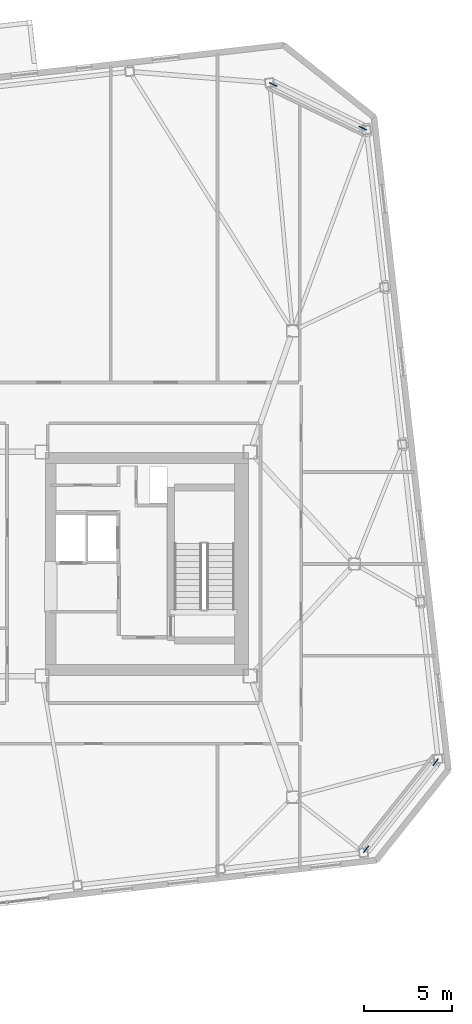
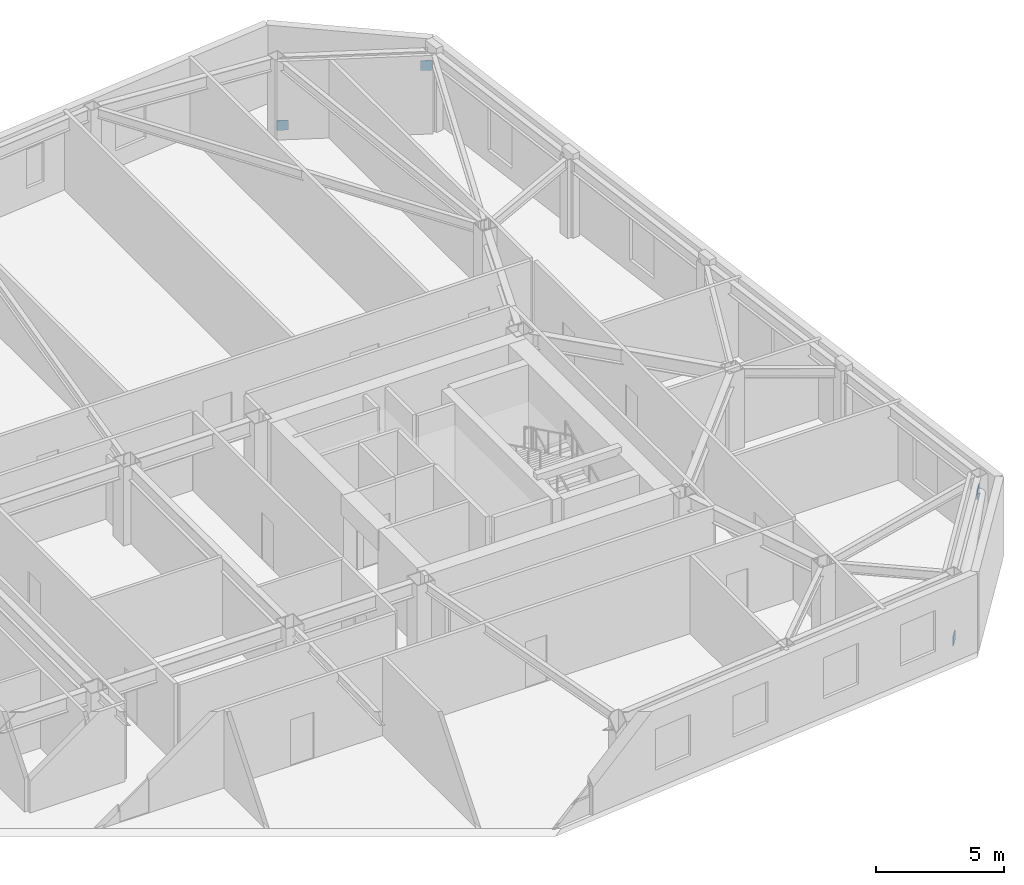
# One storey, part 18 of 20: 4 discrete accessories.
"""IFC4 building model written with IfcOpenShell, lengths in metres."""

from ifc_helpers import new_model, si_unit, direction, frame, origin, origin_2d, place, context, subcontext, project, spatial, rectangle, extrude, material, type_object, element, save


model = new_model("IFC4")

# Units and contexts
model_context = context("Model", 3, precision=1e-05, world=origin(), true_north=direction((0.0, 1.0)))
body_context = subcontext(model_context, "Body", "Model", "MODEL_VIEW")
ifc_project = project(units=[si_unit("LENGTHUNIT", "METRE"), si_unit("AREAUNIT", "SQUARE_METRE"), si_unit("VOLUMEUNIT", "CUBIC_METRE"), si_unit("PLANEANGLEUNIT", "RADIAN"), si_unit("MASSUNIT", "GRAM", prefix="KILO")], contexts=[model_context])

# Site, building, storey
site_placement = place(None, origin())
site = spatial("IfcSite", under=ifc_project, at=site_placement, CompositionType="ELEMENT")
building_placement = place(site_placement, origin())
building = spatial("IfcBuilding", under=site, at=building_placement, Name="Tavrogorsk Clinical Tower", CompositionType="ELEMENT")
storey_placement = place(building_placement, frame((0.0, 0.0, 251.0)))
storey = spatial("IfcBuildingStorey", under=building, at=storey_placement, Name="L58", CompositionType="ELEMENT", Elevation=251.0)

# Discrete accessories
ifc_material = material(Name="Structural steel S440", Category="steel")
discrete_accessory_type = type_object("IfcDiscreteAccessoryType", Name="GussetPlateBracket_25", PredefinedType="BRACKET", material=ifc_material)
for number, where, z_axis, x_axis, name in (
    (1, (28.6572265625, -16.15869140625, 0.168212890625), (0.0, 0.0, 1.0), (0.622514636638, 0.782608156852, 0.0), "L58 Brace Gusset Plate EXOCRN-L58-1-A"),
    (2, (32.5859375, -11.2197265625, 2.761962890625), (0.0, 0.0, 1.0), (0.622514636638, 0.782608156852, 0.0), "L58 Brace Gusset Plate EXOCRN-L58-1-B"),
    (3, (23.399169921875, 27.150634765625, 0.17724609375), (0.0, 0.0, 1.0), (0.898794046299, -0.438371146789, 0.0), "L58 Brace Gusset Plate EXOCRN-L58-2-A"),
    (4, (28.46630859375, 24.679443359375, 2.7529296875), (0.0, 0.0, 1.0), (0.898794046299, -0.438371146789, 0.0), "L58 Brace Gusset Plate EXOCRN-L58-2-B"),
):
    element("IfcDiscreteAccessory", number, at=place(storey_placement, frame(where, z_axis=z_axis, x_axis=x_axis)), inside=storey, type_object=discrete_accessory_type, Name=name, PredefinedType="BRACKET", context=body_context, shape_type="SweptSolid", body=[
        extrude(rectangle(XDim=0.4599609375, YDim=0.0400390625, at=origin_2d()), origin(), (0.0, 0.0, 1.0), 0.4599609375),
    ])

save(model, "model.ifc")
